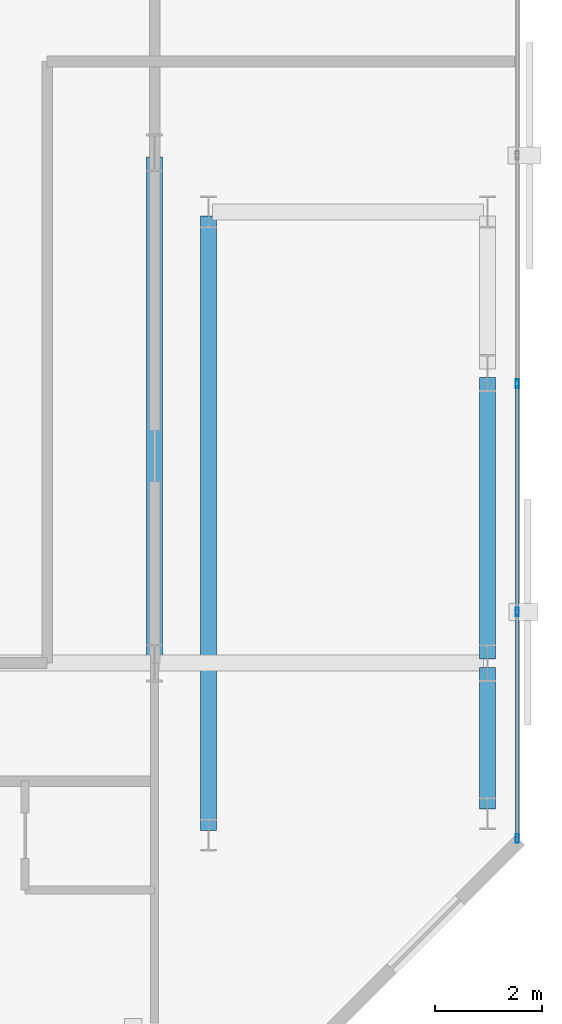
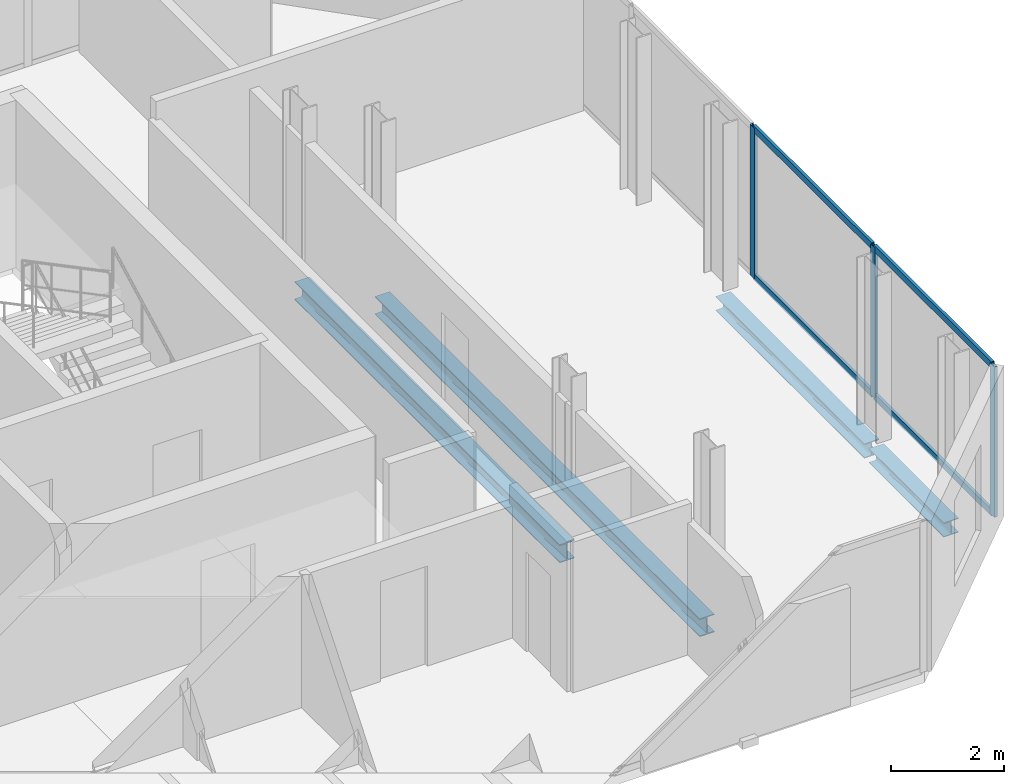
# One storey, part 16 of 32: 7 members, 4 beams, 1 element without a shape of its own.
"""IFC4 building model written with IfcOpenShell, lengths in metres."""

from ifc_helpers import new_model, si_unit, direction, frame, origin, origin_2d, place, context, subcontext, project, spatial, hollow_rectangle, i_section, extrude, material, layer, layer_set, material_profile, profile_set, type_object, element, aggregate, save


model = new_model("IFC4")

# Units and contexts
model_context = context("Model", 3, precision=1e-05, world=origin(), true_north=direction((0.0, 1.0)))
body_context = subcontext(model_context, "Body", "Model", "MODEL_VIEW")
ifc_project = project(units=[si_unit("LENGTHUNIT", "METRE"), si_unit("AREAUNIT", "SQUARE_METRE"), si_unit("VOLUMEUNIT", "CUBIC_METRE"), si_unit("PLANEANGLEUNIT", "RADIAN"), si_unit("MASSUNIT", "GRAM", prefix="KILO")], contexts=[model_context])

# Site, building, storey
site_placement = place(None, origin())
site = spatial("IfcSite", under=ifc_project, at=site_placement, CompositionType="ELEMENT")
building_placement = place(site_placement, origin())
building = spatial("IfcBuilding", under=site, at=building_placement, Name="Catumbela Crestline Tower", CompositionType="ELEMENT")
storey_placement = place(building_placement, frame((0.0, 0.0, 140.4)))
storey = spatial("IfcBuildingStorey", under=building, at=storey_placement, Name="L36", CompositionType="ELEMENT", Elevation=140.4)

# Beams
ifc_material_1 = material(Name="Structural steel S355J2", Category="steel")
ifc_material_profile_1 = material_profile(ifc_material_1, i_section(OverallWidth=0.3, OverallDepth=0.39, WebThickness=0.011, FlangeThickness=0.019, FilletRadius=0.027, at=origin_2d()), Name="HEA 400")
ifc_profile_set_1 = profile_set([ifc_material_profile_1], Name="Structural steel S355J2")
beam_type_1 = type_object("IfcBeamType", Name="BG-HEA400", PredefinedType="BEAM", material=ifc_profile_set_1)
beam_1_placement = place(storey_placement, frame((44.2, 30.88, -0.455), z_axis=(0.0, 1.0, 0.0), x_axis=(-1.0, 0.0, 0.0)))
element("IfcBeam", 1, at=beam_1_placement, inside=storey, type_object=beam_type_1, Name="L36 Beam BM-L36-SN32", PredefinedType="BEAM", context=body_context, shape_type="SweptSolid", body=[
    extrude(i_section(OverallWidth=0.3, OverallDepth=0.39, WebThickness=0.011, FlangeThickness=0.019, FilletRadius=0.027, at=origin_2d()), origin(), (0.0, 0.0, 1.0), 9.34),
])
beam_2_placement = place(storey_placement, frame((45.2, 27.68, -0.455), z_axis=(0.0, 1.0, 0.0), x_axis=(-1.0, 0.0, 0.0)))
element("IfcBeam", 2, at=beam_2_placement, inside=storey, type_object=beam_type_1, Name="L36 Beam BM-L36-SN33", PredefinedType="BEAM", context=body_context, shape_type="SweptSolid", body=[
    extrude(i_section(OverallWidth=0.3, OverallDepth=0.39, WebThickness=0.011, FlangeThickness=0.019, FilletRadius=0.027, at=origin_2d()), origin(), (0.0, 0.0, 1.0), 11.44),
])

# Curtain wall, members
ifc_material_2 = material(Name="Aluminium alloy AW-6060-T66", Category="aluminium")
ifc_layer = layer(ifc_material_2, 0.18, Name="Aluminium alloy AW-6060-T66")
ifc_layer_set = layer_set([ifc_layer], Name="Aluminium alloy AW-6060-T66")
curtain_wall_type = type_object("IfcCurtainWallType", Name="CWU-Z2", PredefinedType="USERDEFINED", material=ifc_layer_set)
curtain_wall_placement = place(storey_placement, origin())
curtain_wall = element("IfcCurtainWall", 3, at=curtain_wall_placement, inside=storey, type_object=curtain_wall_type, Name="L36 Unitised Curtain Wall CW-L36-E5S1", ObjectType="UNITISED", PredefinedType="USERDEFINED")
ifc_material_profile_2 = material_profile(ifc_material_2, hollow_rectangle(XDim=0.06, YDim=0.16, WallThickness=0.004, at=origin_2d()), Name="ALU 160x60x4")
ifc_profile_set_2 = profile_set([ifc_material_profile_2], Name="Aluminium alloy AW-6060-T66")
member_type_1 = type_object("IfcMemberType", Name="MUL-160X60", PredefinedType="MULLION", material=ifc_profile_set_2)
member_1_placement = place(storey_placement, frame((50.95, 27.5325, 0.0), z_axis=(0.0, 0.0, 1.0), x_axis=(-1.0, 0.0, 0.0)))
member_1 = element("IfcMember", 4, at=member_1_placement, type_object=member_type_1, Name="CWU-Z2 mullion 1", PredefinedType="MULLION", context=body_context, shape_type="SweptSolid", body=[
    extrude(hollow_rectangle(XDim=0.06, YDim=0.16, WallThickness=0.004, at=origin_2d()), origin(), (0.0, 0.0, 1.0), 3.24),
])
member_2_placement = place(storey_placement, frame((50.95, 31.75, 0.0), z_axis=(0.0, 0.0, 1.0), x_axis=(-1.0, 0.0, 0.0)))
member_2 = element("IfcMember", 5, at=member_2_placement, type_object=member_type_1, Name="CWU-Z2 mullion 2", PredefinedType="MULLION", context=body_context, shape_type="SweptSolid", body=[
    extrude(hollow_rectangle(XDim=0.06, YDim=0.16, WallThickness=0.004, at=origin_2d()), origin(), (0.0, 0.0, 1.0), 3.24),
])
member_3_placement = place(storey_placement, frame((50.95, 36.0, 0.0), z_axis=(0.0, 0.0, 1.0), x_axis=(-1.0, 0.0, 0.0)))
member_3 = element("IfcMember", 6, at=member_3_placement, type_object=member_type_1, Name="CWU-Z2 mullion 3", PredefinedType="MULLION", context=body_context, shape_type="SweptSolid", body=[
    extrude(hollow_rectangle(XDim=0.06, YDim=0.16, WallThickness=0.004, at=origin_2d()), origin(), (0.0, 0.0, 1.0), 3.24),
])

# Beams
ifc_material_profile_3 = material_profile(ifc_material_1, i_section(OverallWidth=0.3, OverallDepth=0.31, WebThickness=0.009, FlangeThickness=0.0155, FilletRadius=0.027, at=origin_2d()), Name="HEA 320")
ifc_profile_set_3 = profile_set([ifc_material_profile_3], Name="Structural steel S355J2")
beam_type_2 = type_object("IfcBeamType", Name="BS-HEA320", PredefinedType="SPANDREL", material=ifc_profile_set_3)
beam_3_placement = place(storey_placement, frame((50.4, 28.08, -0.415), z_axis=(0.0, 1.0, 0.0), x_axis=(-1.0, 0.0, 0.0)))
element("IfcBeam", 7, at=beam_3_placement, inside=storey, type_object=beam_type_2, Name="L36 Spandrel SP-L36-SN34", PredefinedType="SPANDREL", context=body_context, shape_type="SweptSolid", body=[
    extrude(i_section(OverallWidth=0.3, OverallDepth=0.31, WebThickness=0.009, FlangeThickness=0.0155, FilletRadius=0.027, at=origin_2d()), origin(), (0.0, 0.0, 1.0), 2.64),
])
beam_4_placement = place(storey_placement, frame((50.4, 30.88, -0.415), z_axis=(0.0, 1.0, 0.0), x_axis=(-1.0, 0.0, 0.0)))
element("IfcBeam", 8, at=beam_4_placement, inside=storey, type_object=beam_type_2, Name="L36 Spandrel SP-L36-SN35", PredefinedType="SPANDREL", context=body_context, shape_type="SweptSolid", body=[
    extrude(i_section(OverallWidth=0.3, OverallDepth=0.31, WebThickness=0.009, FlangeThickness=0.0155, FilletRadius=0.027, at=origin_2d()), origin(), (0.0, 0.0, 1.0), 5.24),
])

# Member
ifc_material_profile_4 = material_profile(ifc_material_2, hollow_rectangle(XDim=0.06, YDim=0.14, WallThickness=0.004, at=origin_2d()), Name="ALU 140x60x4")
ifc_profile_set_4 = profile_set([ifc_material_profile_4], Name="Aluminium alloy AW-6060-T66")
member_type_2 = type_object("IfcMemberType", Name="TRN-140X60", PredefinedType="USERDEFINED", material=ifc_profile_set_4)
member_4_placement = place(storey_placement, frame((50.95, 27.565, 0.03), z_axis=(0.0, 1.0, 0.0), x_axis=(-1.0, 0.0, 0.0)))
member_4 = element("IfcMember", 9, at=member_4_placement, type_object=member_type_2, Name="CWU-Z2 transom 1.1", ObjectType="TRANSOM", PredefinedType="USERDEFINED", context=body_context, shape_type="SweptSolid", body=[
    extrude(hollow_rectangle(XDim=0.06, YDim=0.14, WallThickness=0.004, at=origin_2d()), origin(), (0.0, 0.0, 1.0), 4.1525),
])

member_5_placement = place(storey_placement, frame((50.95, 27.565, 3.21), z_axis=(0.0, 1.0, 0.0), x_axis=(-1.0, 0.0, 0.0)))
member_5 = element("IfcMember", 10, at=member_5_placement, type_object=member_type_2, Name="CWU-Z2 transom 1.2", ObjectType="TRANSOM", PredefinedType="USERDEFINED", context=body_context, shape_type="SweptSolid", body=[
    extrude(hollow_rectangle(XDim=0.06, YDim=0.14, WallThickness=0.004, at=origin_2d()), origin(), (0.0, 0.0, 1.0), 4.1525),
])

member_6_placement = place(storey_placement, frame((50.95, 31.7825, 0.03), z_axis=(0.0, 1.0, 0.0), x_axis=(-1.0, 0.0, 0.0)))
member_6 = element("IfcMember", 11, at=member_6_placement, type_object=member_type_2, Name="CWU-Z2 transom 2.1", ObjectType="TRANSOM", PredefinedType="USERDEFINED", context=body_context, shape_type="SweptSolid", body=[
    extrude(hollow_rectangle(XDim=0.06, YDim=0.14, WallThickness=0.004, at=origin_2d()), origin(), (0.0, 0.0, 1.0), 4.185),
])

member_7_placement = place(storey_placement, frame((50.95, 31.7825, 3.21), z_axis=(0.0, 1.0, 0.0), x_axis=(-1.0, 0.0, 0.0)))
member_7 = element("IfcMember", 12, at=member_7_placement, type_object=member_type_2, Name="CWU-Z2 transom 2.2", ObjectType="TRANSOM", PredefinedType="USERDEFINED", context=body_context, shape_type="SweptSolid", body=[
    extrude(hollow_rectangle(XDim=0.06, YDim=0.14, WallThickness=0.004, at=origin_2d()), origin(), (0.0, 0.0, 1.0), 4.185),
])

aggregate(curtain_wall, [member_1, member_2, member_3, member_4, member_5, member_6, member_7])

save(model, "model.ifc")
